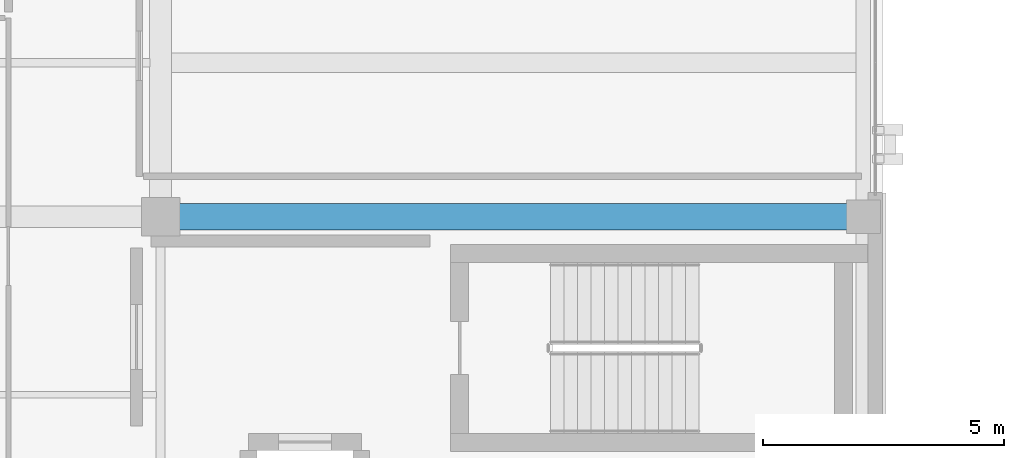
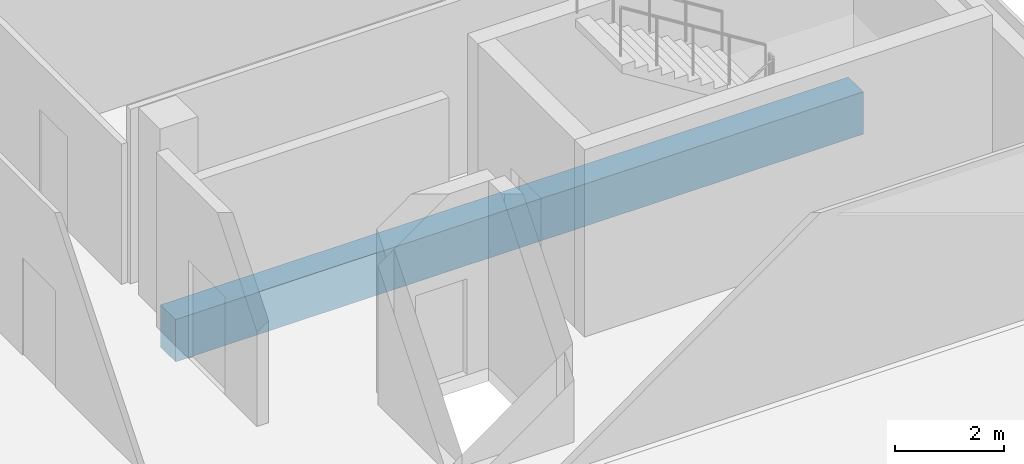
# One storey, part 105 of 193: 1 beam.
"""IFC4 building model written with IfcOpenShell, lengths in metres."""

from ifc_helpers import new_model, si_unit, direction, frame, origin, origin_2d, place, context, subcontext, project, spatial, rectangle, extrude, material, material_profile, profile_set, type_object, element, save


model = new_model("IFC4")

# Units and contexts
model_context = context("Model", 3, precision=1e-05, world=origin(), true_north=direction((0.0, 1.0)))
body_context = subcontext(model_context, "Body", "Model", "MODEL_VIEW")
ifc_project = project(units=[si_unit("LENGTHUNIT", "METRE"), si_unit("AREAUNIT", "SQUARE_METRE"), si_unit("VOLUMEUNIT", "CUBIC_METRE"), si_unit("PLANEANGLEUNIT", "RADIAN"), si_unit("MASSUNIT", "GRAM", prefix="KILO")], contexts=[model_context])

# Site, building, storey
site_placement = place(None, origin())
site = spatial("IfcSite", under=ifc_project, at=site_placement, CompositionType="ELEMENT")
building_placement = place(site_placement, origin())
building = spatial("IfcBuilding", under=site, at=building_placement, Name="Qalavern Law Courts", CompositionType="ELEMENT")
storey_placement = place(building_placement, frame((0.0, 0.0, 10.199951171875)))
storey = spatial("IfcBuildingStorey", under=building, at=storey_placement, Name="L02", CompositionType="ELEMENT", Elevation=10.199951171875)

# Beam
ifc_material = material(Name="Concrete C40/50", Category="concrete")
ifc_material_profile = material_profile(ifc_material, rectangle(XDim=0.550048828125, YDim=0.949951171875, at=origin_2d()), Name="RC 550x950")
ifc_profile_set = profile_set([ifc_material_profile], Name="Concrete C40/50")
beam_type = type_object("IfcBeamType", Name="STR-BM-RC550x950", PredefinedType="BEAM", material=ifc_profile_set)
beam_placement = place(storey_placement, frame((91.800048828125, 72.800048828125, -0.764892578125), z_axis=(1.0, 0.0, 0.0), x_axis=(0.0, 1.0, 0.0)))
element("IfcBeam", 1, at=beam_placement, inside=storey, type_object=beam_type, Name="V4 X-beam 5-2 L02", PredefinedType="BEAM", context=body_context, shape_type="SweptSolid", body=[
    extrude(rectangle(XDim=0.550048828125, YDim=0.949951171875, at=origin_2d()), origin(), (0.0, 0.0, 1.0), 14.599853515625),
])

save(model, "model.ifc")
